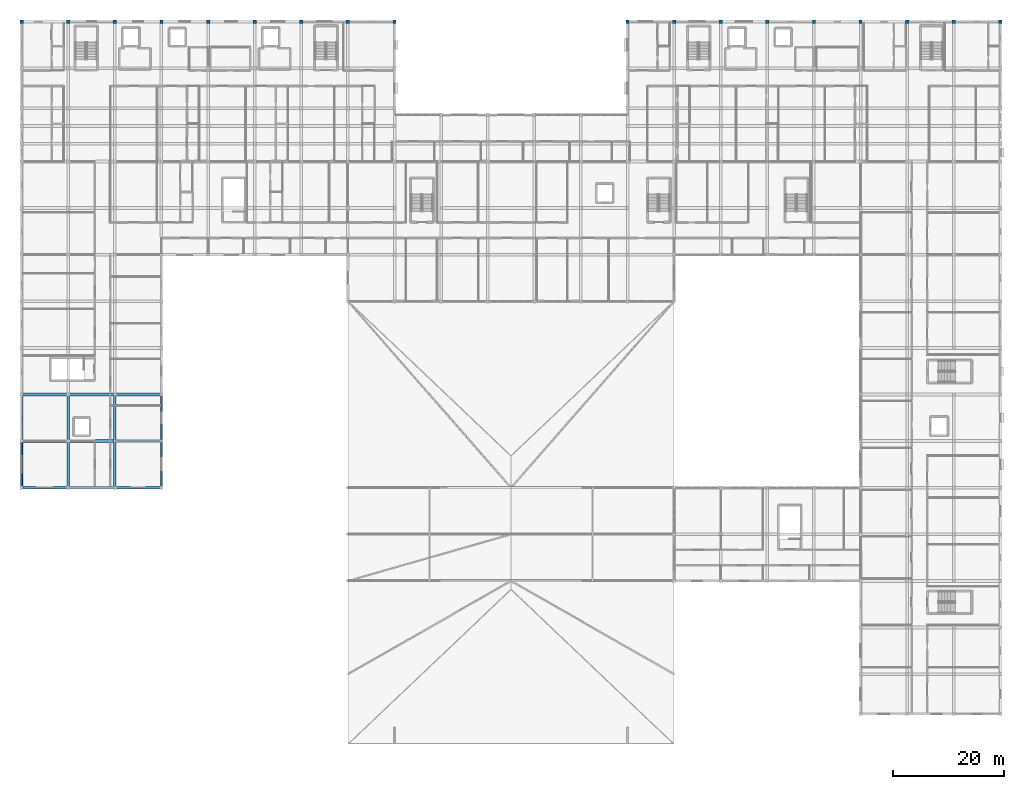
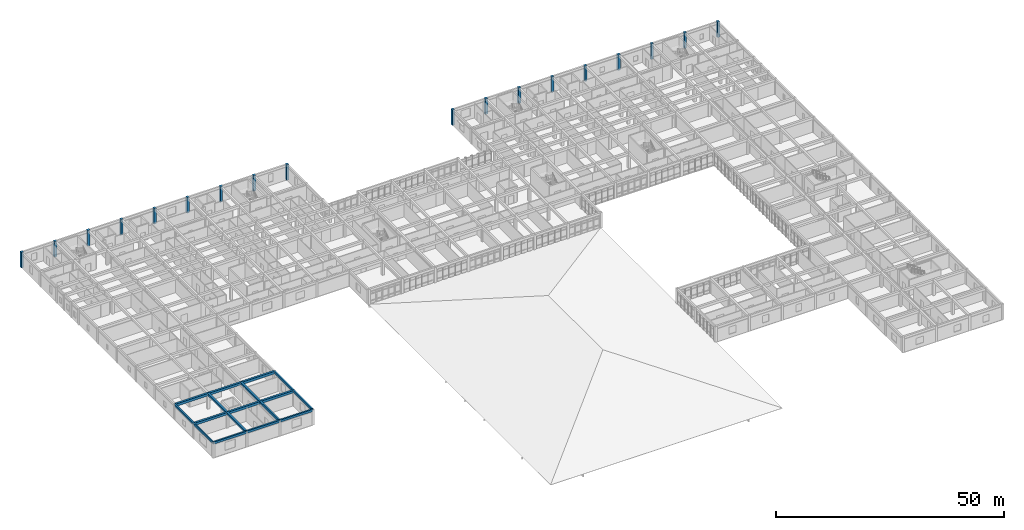
# One storey, part 6 of 77: 18 columns, 17 beams.
"""IFC4 building model written with IfcOpenShell, lengths in metres."""

from ifc_helpers import new_model, si_unit, direction, frame, origin, origin_2d, place, context, subcontext, project, spatial, rectangle, extrude, material, material_profile, profile_set, type_object, element, save


model = new_model("IFC4")

# Units and contexts
model_context = context("Model", 3, precision=1e-05, world=origin(), true_north=direction((0.0, 1.0)))
body_context = subcontext(model_context, "Body", "Model", "MODEL_VIEW")
ifc_project = project(units=[si_unit("LENGTHUNIT", "METRE"), si_unit("AREAUNIT", "SQUARE_METRE"), si_unit("VOLUMEUNIT", "CUBIC_METRE"), si_unit("PLANEANGLEUNIT", "RADIAN"), si_unit("MASSUNIT", "GRAM", prefix="KILO")], contexts=[model_context])

# Site, building, storey
site_placement = place(None, origin())
site = spatial("IfcSite", under=ifc_project, at=site_placement, CompositionType="ELEMENT")
building_placement = place(site_placement, origin())
building = spatial("IfcBuilding", under=site, at=building_placement, Name="Varncliffe General Hospital", CompositionType="ELEMENT")
storey_placement = place(building_placement, frame((0.0, 0.0, 16.199951171875)))
storey = spatial("IfcBuildingStorey", under=building, at=storey_placement, Name="L03", CompositionType="ELEMENT", Elevation=16.199951171875)

# Columns
ifc_material_1 = material(Name="Concrete C40/50 (CSA A23.1 40 MPa)", Category="concrete")
ifc_material_profile_1 = material_profile(ifc_material_1, rectangle(XDim=0.60009765625, YDim=0.60009765625, at=origin_2d()), Name="RC 600x600")
ifc_profile_set_1 = profile_set([ifc_material_profile_1], Name="Concrete C40/50 (CSA A23.1 40 MPa)")
column_type = type_object("IfcColumnType", Name="Column C27 (Ext RC 600x600)", PredefinedType="COLUMN", material=ifc_profile_set_1)
for number, where, z_axis, x_axis, name in (
    (1, (0.0, 124.800048828125, 0.0), (0.0, 0.0, 1.0), (1.0, 0.0, 0.0), "L03 Column C27"),
    (2, (8.39990234375, 124.800048828125, 0.0), (0.0, 0.0, 1.0), (1.0, 0.0, 0.0), "L03 Column C27"),
    (3, (16.800048828125, 124.800048828125, 0.0), (0.0, 0.0, 1.0), (1.0, 0.0, 0.0), "L03 Column C27"),
    (4, (25.199951171875, 124.800048828125, 0.0), (0.0, 0.0, 1.0), (1.0, 0.0, 0.0), "L03 Column C27"),
    (5, (33.60009765625, 124.800048828125, 0.0), (0.0, 0.0, 1.0), (1.0, 0.0, 0.0), "L03 Column C27"),
    (6, (42.0, 124.800048828125, 0.0), (0.0, 0.0, 1.0), (1.0, 0.0, 0.0), "L03 Column C27"),
    (7, (50.39990234375, 124.800048828125, 0.0), (0.0, 0.0, 1.0), (1.0, 0.0, 0.0), "L03 Column C27"),
    (8, (58.800048828125, 124.800048828125, 0.0), (0.0, 0.0, 1.0), (1.0, 0.0, 0.0), "L03 Column C27"),
    (9, (67.199951171875, 124.800048828125, 0.0), (0.0, 0.0, 1.0), (1.0, 0.0, 0.0), "L03 Column C27"),
    (10, (109.199951171875, 124.800048828125, 0.0), (0.0, 0.0, 1.0), (1.0, 0.0, 0.0), "L03 Column C27"),
    (11, (117.60009765625, 124.800048828125, 0.0), (0.0, 0.0, 1.0), (1.0, 0.0, 0.0), "L03 Column C27"),
    (12, (126.0, 124.800048828125, 0.0), (0.0, 0.0, 1.0), (1.0, 0.0, 0.0), "L03 Column C27"),
    (13, (134.39990234375, 124.800048828125, 0.0), (0.0, 0.0, 1.0), (1.0, 0.0, 0.0), "L03 Column C27"),
    (14, (142.800048828125, 124.800048828125, 0.0), (0.0, 0.0, 1.0), (1.0, 0.0, 0.0), "L03 Column C27"),
    (15, (151.199951171875, 124.800048828125, 0.0), (0.0, 0.0, 1.0), (1.0, 0.0, 0.0), "L03 Column C27"),
    (16, (159.60009765625, 124.800048828125, 0.0), (0.0, 0.0, 1.0), (1.0, 0.0, 0.0), "L03 Column C27"),
    (17, (168.0, 124.800048828125, 0.0), (0.0, 0.0, 1.0), (1.0, 0.0, 0.0), "L03 Column C27"),
    (18, (176.39990234375, 124.800048828125, 0.0), (0.0, 0.0, 1.0), (1.0, 0.0, 0.0), "L03 Column C27"),
):
    element("IfcColumn", number, at=place(storey_placement, frame(where, z_axis=z_axis, x_axis=x_axis)), inside=storey, type_object=column_type, Name=name, PredefinedType="COLUMN", context=body_context, shape_type="SweptSolid", body=[
        extrude(rectangle(XDim=0.60009765625, YDim=0.60009765625, at=origin_2d()), origin(), (0.0, 0.0, 1.0), 4.199951171875),
    ])

# Beams
ifc_material_2 = material(Name="Concrete C35/45 (CSA A23.1 35 MPa)", Category="concrete")
ifc_material_profile_2 = material_profile(ifc_material_2, rectangle(XDim=0.5, YDim=0.64990234375, at=origin_2d()), Name="RC 500x650")
ifc_profile_set_2 = profile_set([ifc_material_profile_2], Name="Concrete C35/45 (CSA A23.1 35 MPa)")
beam_type_1 = type_object("IfcBeamType", Name="Beam B29 (Int RC 500x650)", PredefinedType="BEAM", material=ifc_profile_set_2)
beam_1_placement = place(storey_placement, frame((0.0, 49.199951171875, 3.875), z_axis=(1.0, 0.0, 0.0), x_axis=(0.0, 1.0, 0.0)))
element("IfcBeam", 19, at=beam_1_placement, inside=storey, type_object=beam_type_1, Name="L03 Primary Beam B29-34", PredefinedType="BEAM", context=body_context, shape_type="SweptSolid", body=[
    extrude(rectangle(XDim=0.5, YDim=0.64990234375, at=origin_2d()), origin(), (0.0, 0.0, 1.0), 8.39990234375),
])
beam_2_placement = place(storey_placement, frame((8.39990234375, 49.199951171875, 3.875), z_axis=(1.0, 0.0, 0.0), x_axis=(0.0, 1.0, 0.0)))
element("IfcBeam", 20, at=beam_2_placement, inside=storey, type_object=beam_type_1, Name="L03 Primary Beam B29-35", PredefinedType="BEAM", context=body_context, shape_type="SweptSolid", body=[
    extrude(rectangle(XDim=0.5, YDim=0.64990234375, at=origin_2d()), origin(), (0.0, 0.0, 1.0), 8.400146484375),
])
for number, where, z_axis, x_axis, name in (
    (21, (16.800048828125, 49.199951171875, 3.875), (1.0, 0.0, 0.0), (0.0, 1.0, 0.0), "L03 Primary Beam B29-36"),
    (22, (0.0, 57.60009765625, 3.875), (1.0, 0.0, 0.0), (0.0, 1.0, 0.0), "L03 Primary Beam B29-40"),
):
    element("IfcBeam", number, at=place(storey_placement, frame(where, z_axis=z_axis, x_axis=x_axis)), inside=storey, type_object=beam_type_1, Name=name, PredefinedType="BEAM", context=body_context, shape_type="SweptSolid", body=[
        extrude(rectangle(XDim=0.5, YDim=0.64990234375, at=origin_2d()), origin(), (0.0, 0.0, 1.0), 8.39990234375),
    ])
beam_3_placement = place(storey_placement, frame((8.39990234375, 57.60009765625, 3.875), z_axis=(1.0, 0.0, 0.0), x_axis=(0.0, 1.0, 0.0)))
element("IfcBeam", 23, at=beam_3_placement, inside=storey, type_object=beam_type_1, Name="L03 Primary Beam B29-41", PredefinedType="BEAM", context=body_context, shape_type="SweptSolid", body=[
    extrude(rectangle(XDim=0.5, YDim=0.64990234375, at=origin_2d()), origin(), (0.0, 0.0, 1.0), 8.400146484375),
])
beam_4_placement = place(storey_placement, frame((16.800048828125, 57.60009765625, 3.875), z_axis=(1.0, 0.0, 0.0), x_axis=(0.0, 1.0, 0.0)))
element("IfcBeam", 24, at=beam_4_placement, inside=storey, type_object=beam_type_1, Name="L03 Primary Beam B29-42", PredefinedType="BEAM", context=body_context, shape_type="SweptSolid", body=[
    extrude(rectangle(XDim=0.5, YDim=0.64990234375, at=origin_2d()), origin(), (0.0, 0.0, 1.0), 8.39990234375),
])
ifc_material_profile_3 = material_profile(ifc_material_2, rectangle(XDim=0.449951171875, YDim=0.60009765625, at=origin_2d()), Name="RC 450x600")
ifc_profile_set_3 = profile_set([ifc_material_profile_3], Name="Concrete C35/45 (CSA A23.1 35 MPa)")
beam_type_2 = type_object("IfcBeamType", Name="Beam B47 (Int RC 450x600)", PredefinedType="BEAM", material=ifc_profile_set_3)
beam_5_placement = place(storey_placement, frame((8.39990234375, 40.800048828125, 3.900146484375), z_axis=(0.0, 1.0, 0.0), x_axis=(-1.0, 0.0, 0.0)))
element("IfcBeam", 25, at=beam_5_placement, inside=storey, type_object=beam_type_2, Name="L03 Primary Beam B47-225", PredefinedType="BEAM", context=body_context, shape_type="SweptSolid", body=[
    extrude(rectangle(XDim=0.449951171875, YDim=0.60009765625, at=origin_2d()), origin(), (0.0, 0.0, 1.0), 8.39990234375),
])
beam_6_placement = place(storey_placement, frame((8.39990234375, 49.199951171875, 3.900146484375), z_axis=(0.0, 1.0, 0.0), x_axis=(-1.0, 0.0, 0.0)))
element("IfcBeam", 26, at=beam_6_placement, inside=storey, type_object=beam_type_2, Name="L03 Primary Beam B47-226", PredefinedType="BEAM", context=body_context, shape_type="SweptSolid", body=[
    extrude(rectangle(XDim=0.449951171875, YDim=0.60009765625, at=origin_2d()), origin(), (0.0, 0.0, 1.0), 8.400146484375),
])
beam_7_placement = place(storey_placement, frame((16.800048828125, 40.800048828125, 3.900146484375), z_axis=(0.0, 1.0, 0.0), x_axis=(-1.0, 0.0, 0.0)))
element("IfcBeam", 27, at=beam_7_placement, inside=storey, type_object=beam_type_2, Name="L03 Primary Beam B47-237", PredefinedType="BEAM", context=body_context, shape_type="SweptSolid", body=[
    extrude(rectangle(XDim=0.449951171875, YDim=0.60009765625, at=origin_2d()), origin(), (0.0, 0.0, 1.0), 8.39990234375),
])
beam_8_placement = place(storey_placement, frame((16.800048828125, 49.199951171875, 3.900146484375), z_axis=(0.0, 1.0, 0.0), x_axis=(-1.0, 0.0, 0.0)))
element("IfcBeam", 28, at=beam_8_placement, inside=storey, type_object=beam_type_2, Name="L03 Primary Beam B47-238", PredefinedType="BEAM", context=body_context, shape_type="SweptSolid", body=[
    extrude(rectangle(XDim=0.449951171875, YDim=0.60009765625, at=origin_2d()), origin(), (0.0, 0.0, 1.0), 8.400146484375),
])
ifc_material_profile_4 = material_profile(ifc_material_2, rectangle(XDim=0.35009765625, YDim=0.550048828125, at=origin_2d()), Name="RC 350x550")
ifc_profile_set_4 = profile_set([ifc_material_profile_4], Name="Concrete C35/45 (CSA A23.1 35 MPa)")
beam_type_3 = type_object("IfcBeamType", Name="Spandrel SP20 (Ext RC 350x550)", PredefinedType="SPANDREL", material=ifc_profile_set_4)
beam_9_placement = place(storey_placement, frame((0.0, 40.800048828125, 3.925048828125), z_axis=(0.0, 1.0, 0.0), x_axis=(-1.0, 0.0, 0.0)))
element("IfcBeam", 29, at=beam_9_placement, inside=storey, type_object=beam_type_3, Name="L03 Spandrel Beam SP20-213", PredefinedType="SPANDREL", context=body_context, shape_type="SweptSolid", body=[
    extrude(rectangle(XDim=0.35009765625, YDim=0.550048828125, at=origin_2d()), origin(), (0.0, 0.0, 1.0), 8.39990234375),
])
beam_10_placement = place(storey_placement, frame((0.0, 49.199951171875, 3.925048828125), z_axis=(0.0, 1.0, 0.0), x_axis=(-1.0, 0.0, 0.0)))
element("IfcBeam", 30, at=beam_10_placement, inside=storey, type_object=beam_type_3, Name="L03 Spandrel Beam SP20-214", PredefinedType="SPANDREL", context=body_context, shape_type="SweptSolid", body=[
    extrude(rectangle(XDim=0.35009765625, YDim=0.550048828125, at=origin_2d()), origin(), (0.0, 0.0, 1.0), 8.400146484375),
])
beam_11_placement = place(storey_placement, frame((25.199951171875, 40.800048828125, 3.925048828125), z_axis=(0.0, 1.0, 0.0), x_axis=(-1.0, 0.0, 0.0)))
element("IfcBeam", 31, at=beam_11_placement, inside=storey, type_object=beam_type_3, Name="L03 Spandrel Beam SP20-249", PredefinedType="SPANDREL", context=body_context, shape_type="SweptSolid", body=[
    extrude(rectangle(XDim=0.35009765625, YDim=0.550048828125, at=origin_2d()), origin(), (0.0, 0.0, 1.0), 8.39990234375),
])
beam_12_placement = place(storey_placement, frame((25.199951171875, 49.199951171875, 3.925048828125), z_axis=(0.0, 1.0, 0.0), x_axis=(-1.0, 0.0, 0.0)))
element("IfcBeam", 32, at=beam_12_placement, inside=storey, type_object=beam_type_3, Name="L03 Spandrel Beam SP20-250", PredefinedType="SPANDREL", context=body_context, shape_type="SweptSolid", body=[
    extrude(rectangle(XDim=0.35009765625, YDim=0.550048828125, at=origin_2d()), origin(), (0.0, 0.0, 1.0), 8.400146484375),
])
ifc_material_profile_5 = material_profile(ifc_material_2, rectangle(XDim=0.39990234375, YDim=0.60009765625, at=origin_2d()), Name="RC 400x600")
ifc_profile_set_5 = profile_set([ifc_material_profile_5], Name="Concrete C35/45 (CSA A23.1 35 MPa)")
beam_type_4 = type_object("IfcBeamType", Name="Spandrel SP58 (Ext RC 400x600B)", PredefinedType="SPANDREL", material=ifc_profile_set_5)
beam_13_placement = place(storey_placement, frame((0.0, 40.800048828125, 3.900146484375), z_axis=(1.0, 0.0, 0.0), x_axis=(0.0, 1.0, 0.0)))
element("IfcBeam", 33, at=beam_13_placement, inside=storey, type_object=beam_type_4, Name="L03 Spandrel Beam SP58-24", PredefinedType="SPANDREL", context=body_context, shape_type="SweptSolid", body=[
    extrude(rectangle(XDim=0.39990234375, YDim=0.60009765625, at=origin_2d()), origin(), (0.0, 0.0, 1.0), 8.39990234375),
])
beam_14_placement = place(storey_placement, frame((8.39990234375, 40.800048828125, 3.900146484375), z_axis=(1.0, 0.0, 0.0), x_axis=(0.0, 1.0, 0.0)))
element("IfcBeam", 34, at=beam_14_placement, inside=storey, type_object=beam_type_4, Name="L03 Spandrel Beam SP58-25", PredefinedType="SPANDREL", context=body_context, shape_type="SweptSolid", body=[
    extrude(rectangle(XDim=0.39990234375, YDim=0.60009765625, at=origin_2d()), origin(), (0.0, 0.0, 1.0), 8.400146484375),
])
beam_15_placement = place(storey_placement, frame((16.800048828125, 40.800048828125, 3.900146484375), z_axis=(1.0, 0.0, 0.0), x_axis=(0.0, 1.0, 0.0)))
element("IfcBeam", 35, at=beam_15_placement, inside=storey, type_object=beam_type_4, Name="L03 Spandrel Beam SP58-26", PredefinedType="SPANDREL", context=body_context, shape_type="SweptSolid", body=[
    extrude(rectangle(XDim=0.39990234375, YDim=0.60009765625, at=origin_2d()), origin(), (0.0, 0.0, 1.0), 8.39990234375),
])

save(model, "model.ifc")
